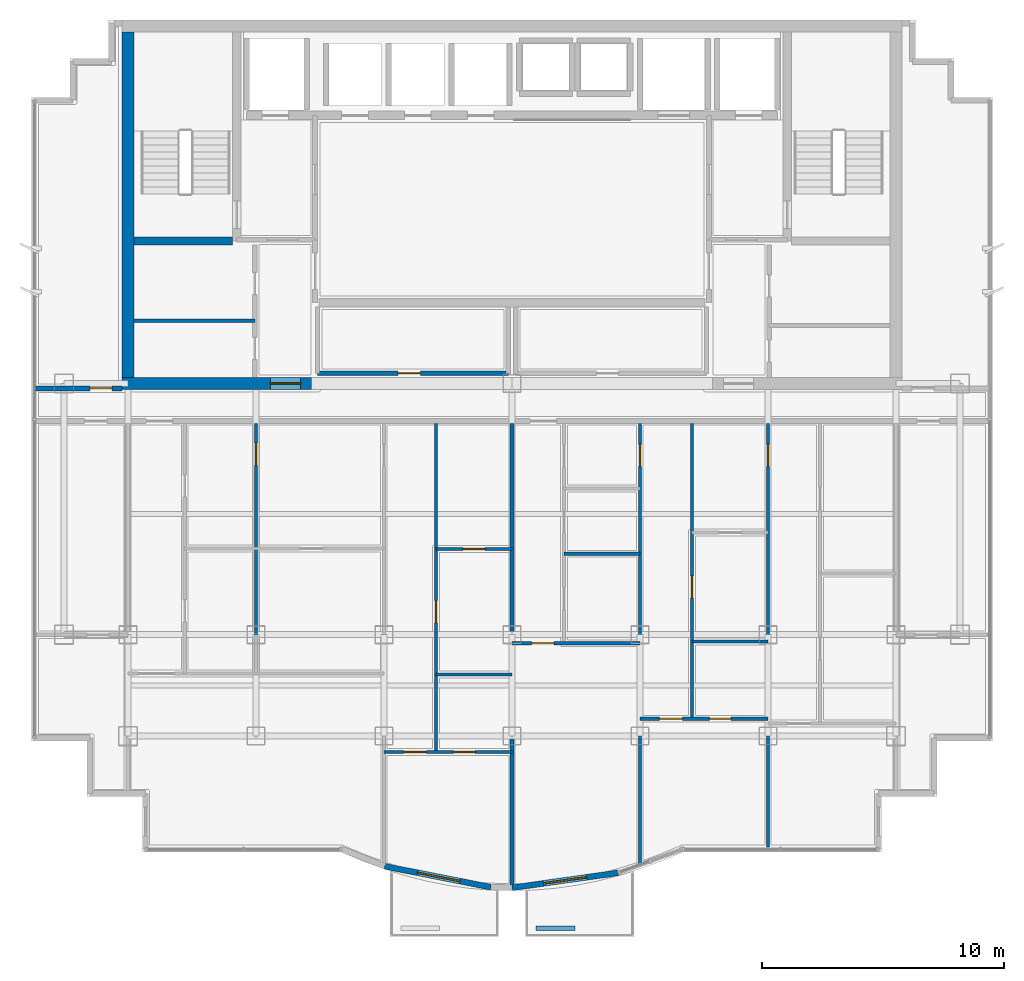
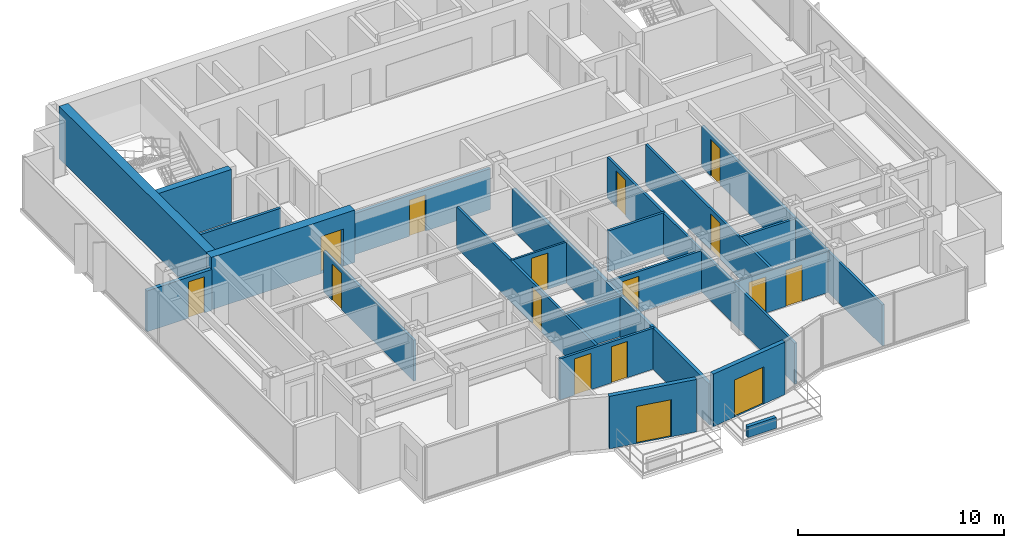
# One storey, part 7 of 12: 22 walls, 16 doors, 16 openings.
"""IFC4 building model written with IfcOpenShell, lengths in metres."""

from ifc_helpers import new_model, si_unit, direction, frame, frame_2d, origin, place, context, subcontext, project, spatial, rectangle, extrude, material, layer, layer_set, type_object, element, fill, save


model = new_model("IFC4")

# Units and contexts
model_context = context("Model", 3, precision=1e-05, world=origin(), true_north=direction((0.0, 1.0)))
body_context = subcontext(model_context, "Body", "Model", "MODEL_VIEW")
ifc_project = project(units=[si_unit("LENGTHUNIT", "METRE"), si_unit("AREAUNIT", "SQUARE_METRE"), si_unit("VOLUMEUNIT", "CUBIC_METRE"), si_unit("PLANEANGLEUNIT", "RADIAN"), si_unit("MASSUNIT", "GRAM", prefix="KILO")], contexts=[model_context])

# Site, building, storey
site_placement = place(None, origin())
site = spatial("IfcSite", under=ifc_project, at=site_placement, CompositionType="ELEMENT")
building_placement = place(site_placement, origin())
building = spatial("IfcBuilding", under=site, at=building_placement, Name="Qianlan Lanfeng Residences", CompositionType="ELEMENT")
storey_placement = place(building_placement, frame((0.0, 0.0, 216.5)))
storey = spatial("IfcBuildingStorey", under=building, at=storey_placement, Name="L59", CompositionType="ELEMENT", Elevation=216.5)

# Walls
ifc_material_1 = material(Name="Concrete C49", Category="concrete")
ifc_layer_1 = layer(ifc_material_1, 0.35009765625)
ifc_layer_set_1 = layer_set([ifc_layer_1], Name="Concrete C49")
wall_type_1 = type_object("IfcWallType", Name="CW-RC-350", PredefinedType="SHEAR", material=ifc_layer_set_1)
wall_1_placement = place(storey_placement, frame((10.85009765625, 31.10009765625, 0.0), z_axis=(0.0, 0.0, 1.0), x_axis=(1.0, 0.0, 0.0)))
element("IfcWall", 1, at=wall_1_placement, inside=storey, type_object=wall_type_1, Name="L59 Core Shear Wall ST1S", PredefinedType="SHEAR", context=body_context, shape_type="SweptSolid", body=[
    extrude(rectangle(XDim=4.074951171875, YDim=0.35009765625, at=frame_2d((2.03759765625, 0.0))), origin(), (0.0, 0.0, 1.0), 3.110107421875),
])
ifc_material_2 = material(Name="Concrete C70", Category="concrete")
ifc_layer_2 = layer(ifc_material_2, 0.5)
ifc_layer_set_2 = layer_set([ifc_layer_2], Name="Concrete C70")
wall_type_2 = type_object("IfcWallType", Name="CW-RC-500", PredefinedType="SHEAR", material=ifc_layer_set_2)
wall_2_placement = place(storey_placement, frame((10.60009765625, 25.449951171875, 0.0), z_axis=(0.0, 0.0, 1.0), x_axis=(0.0, 1.0, 0.0)))
element("IfcWall", 2, at=wall_2_placement, inside=storey, type_object=wall_type_2, Name="L59 Core Shear Wall W", PredefinedType="SHEAR", context=body_context, shape_type="SweptSolid", body=[
    extrude(rectangle(XDim=14.300048828125, YDim=0.5, at=frame_2d((7.14990234375, 0.0))), origin(), (0.0, 0.0, 1.0), 3.110107421875),
])

# Wall, opening, door
wall_3_placement = place(storey_placement, frame((10.35009765625, 25.199951171875, 0.0), z_axis=(0.0, 0.0, 1.0), x_axis=(1.0, 0.0, 0.0)))
wall_3 = element("IfcWall", 3, at=wall_3_placement, inside=storey, type_object=wall_type_2, Name="L59 Core Shear Wall SW", PredefinedType="SHEAR", context=body_context, shape_type="SweptSolid", body=[
    extrude(rectangle(XDim=8.0498046875, YDim=0.5, at=frame_2d((4.02490234375, 0.0))), origin(), (0.0, 0.0, 1.0), 3.110107421875),
])
opening_1_placement = place(wall_3_placement, frame((6.14990234375, 0.0, 0.0)))
opening_1 = element("IfcOpeningElement", 4, at=opening_1_placement, cuts=wall_3, Name="Opening L59-D01", PredefinedType="OPENING", context=body_context, shape_type="SweptSolid", body=[
    extrude(rectangle(XDim=1.25, YDim=2.199951171875, at=frame_2d((0.625, 1.10009765625))), frame((0.0, 0.260009765625, 0.0), z_axis=(0.0, -1.0, 0.0), x_axis=(1.0, 0.0, 0.0)), (0.0, 0.0, 1.0), 0.52001953125),
])
ifc_material_3 = material(Name="Painted Galvanised Steel Fire Door", Category="steel")
door_type_1 = type_object("IfcDoorType", Name="DT-FFL", OperationType="NOTDEFINED", PredefinedType="DOOR", material=ifc_material_3)
door_1_placement = place(opening_1_placement, frame((1.25, 0.0, 0.0), z_axis=(0.0, 0.0, 1.0), x_axis=(-1.0, 0.0, 0.0)))
door_1 = element("IfcDoor", 5, at=door_1_placement, inside=storey, type_object=door_type_1, Name="L59 West Core Lobby Smoke Door L59-D01 (DT-FFL)", OperationType="SINGLE_SWING_RIGHT", OverallHeight=2.199951171875, OverallWidth=1.25, PredefinedType="DOOR", context=body_context, shape_type="SweptSolid", body=[
    extrude(rectangle(XDim=1.25, YDim=2.199951171875, at=frame_2d((0.625, 1.10009765625))), frame((0.0, 0.02490234375, 0.0), z_axis=(0.0, -1.0, 0.0), x_axis=(1.0, 0.0, 0.0)), (0.0, 0.0, 1.0), 0.050048828125),
])
fill(opening_1, door_1)

ifc_material_4 = material(Name="Concrete C42", Category="concrete")
ifc_layer_3 = layer(ifc_material_4, 0.239990234375)
ifc_layer_set_3 = layer_set([ifc_layer_3], Name="Concrete C42")
wall_type_3 = type_object("IfcWallType", Name="EW-240", PredefinedType="SOLIDWALL", material=ifc_layer_set_3)
wall_4_placement = place(storey_placement, frame((21.22900390625, 5.214111328125, 0.0), z_axis=(0.0, 0.0, 1.0), x_axis=(0.980985349685, -0.194081796425, 0.0)))
wall_4 = element("IfcWall", 6, at=wall_4_placement, inside=storey, type_object=wall_type_3, Name="L59 Terrace/Balcony Access Exterior Wall 6", PredefinedType="SOLIDWALL", context=body_context, shape_type="SweptSolid", body=[
    extrude(rectangle(XDim=4.478271484375, YDim=0.239990234375, at=frame_2d((2.2392578125, 0.0))), origin(), (0.0, 0.0, 1.0), 3.110107421875),
])
opening_2_placement = place(wall_4_placement, frame((1.381103515625, 0.0, 0.0)))
opening_2 = element("IfcOpeningElement", 7, at=opening_2_placement, cuts=wall_4, Name="Opening L59-D-SB-W", PredefinedType="OPENING", context=body_context, shape_type="SweptSolid", body=[
    extrude(rectangle(XDim=1.800048828125, YDim=2.199951171875, at=frame_2d((0.89990234375, 1.10009765625))), frame((0.0, 0.1298828125, 0.0), z_axis=(0.0, -1.0, 0.0), x_axis=(1.0, 0.0, 0.0)), (0.0, 0.0, 1.0), 0.260009765625),
])
ifc_material_5 = material(Name="Anodised Bronze Aluminium Framed Glass", Category="aluminium")
door_type_2 = type_object("IfcDoorType", Name="DT-BAL1", OperationType="NOTDEFINED", PredefinedType="DOOR", material=ifc_material_5)
door_2_placement = place(opening_2_placement, frame((1.800048828125, 0.0, 0.0), z_axis=(0.0, 0.0, 1.0), x_axis=(-1.0, 0.0, 0.0)))
door_2 = element("IfcDoor", 8, at=door_2_placement, inside=storey, type_object=door_type_2, Name="L59 Exterior Access Door SB-W", OperationType="DOUBLE_DOOR_SLIDING", OverallHeight=2.199951171875, OverallWidth=1.800048828125, PredefinedType="DOOR", context=body_context, shape_type="SweptSolid", body=[
    extrude(rectangle(XDim=1.800048828125, YDim=2.199951171875, at=frame_2d((0.89990234375, 1.10009765625))), frame((0.0, 0.02490234375, 0.0), z_axis=(0.0, -1.0, 0.0), x_axis=(1.0, 0.0, 0.0)), (0.0, 0.0, 1.0), 0.050048828125),
])
fill(opening_2, door_2)

wall_5_placement = place(storey_placement, frame((26.5, 4.320068359375, 0.0), z_axis=(0.0, 0.0, 1.0), x_axis=(0.990156470874, 0.139964864115, 0.0)))
wall_5 = element("IfcWall", 9, at=wall_5_placement, inside=storey, type_object=wall_type_3, Name="L59 Terrace/Balcony Access Exterior Wall 8", PredefinedType="SOLIDWALL", context=body_context, shape_type="SweptSolid", body=[
    extrude(rectangle(XDim=4.435791015625, YDim=0.239990234375, at=frame_2d((2.2177734375, 0.0))), origin(), (0.0, 0.0, 1.0), 3.110107421875),
])
opening_3_placement = place(wall_5_placement, frame((1.318115234375, 0.0, 0.0)))
opening_3 = element("IfcOpeningElement", 10, at=opening_3_placement, cuts=wall_5, Name="Opening L59-D-SB-E", PredefinedType="OPENING", context=body_context, shape_type="SweptSolid", body=[
    extrude(rectangle(XDim=1.800048828125, YDim=2.199951171875, at=frame_2d((0.89990234375, 1.10009765625))), frame((0.0, 0.1298828125, 0.0), z_axis=(0.0, -1.0, 0.0), x_axis=(1.0, 0.0, 0.0)), (0.0, 0.0, 1.0), 0.260009765625),
])
door_3_placement = place(opening_3_placement, frame((1.800048828125, 0.0, 0.0), z_axis=(0.0, 0.0, 1.0), x_axis=(-1.0, 0.0, 0.0)))
door_3 = element("IfcDoor", 11, at=door_3_placement, inside=storey, type_object=door_type_2, Name="L59 Exterior Access Door SB-E", OperationType="DOUBLE_DOOR_SLIDING", OverallHeight=2.199951171875, OverallWidth=1.800048828125, PredefinedType="DOOR", context=body_context, shape_type="SweptSolid", body=[
    extrude(rectangle(XDim=1.800048828125, YDim=2.199951171875, at=frame_2d((0.89990234375, 1.10009765625))), frame((0.0, 0.02490234375, 0.0), z_axis=(0.0, -1.0, 0.0), x_axis=(1.0, 0.0, 0.0)), (0.0, 0.0, 1.0), 0.050048828125),
])
fill(opening_3, door_3)

# Wall
ifc_layer_4 = layer(ifc_material_4, 0.199951171875)
ifc_layer_set_4 = layer_set([ifc_layer_4], Name="Concrete C42")
wall_type_4 = type_object("IfcWallType", Name="PL-TREE-200", PredefinedType="PARAPET", material=ifc_layer_set_4)
wall_6_placement = place(storey_placement, frame((27.5, 2.64990234375, 0.0), z_axis=(0.0, 0.0, 1.0), x_axis=(1.0, 0.0, 0.0)))
element("IfcWall", 12, at=wall_6_placement, inside=storey, type_object=wall_type_4, Name="L59 Balcony Tree Planter Curb SB-E", PredefinedType="PARAPET", context=body_context, shape_type="SweptSolid", body=[
    extrude(rectangle(XDim=1.60009765625, YDim=0.199951171875, at=frame_2d((0.800048828125, 0.0))), origin(), (0.0, 0.0, 1.0), 0.64990234375),
])

# Wall, opening, door
ifc_material_6 = material(Name="Demountable Acoustic Framing Partition 110 mm")
ifc_layer_5 = layer(ifc_material_6, 0.110107421875)
ifc_layer_set_5 = layer_set([ifc_layer_5], Name="Demountable Acoustic Framing Partition 110 mm")
wall_type_5 = type_object("IfcWallType", Name="PW-110", PredefinedType="MOVABLE", material=ifc_layer_set_5)
wall_7_placement = place(storey_placement, frame((23.35009765625, 18.34912109375, 0.0), z_axis=(0.0, 0.0, 1.0), x_axis=(1.0, 0.0, 0.0)))
wall_7 = element("IfcWall", 13, at=wall_7_placement, inside=storey, type_object=wall_type_5, Name="L59 U01 Wardrobe Split", PredefinedType="MOVABLE", context=body_context, shape_type="SweptSolid", body=[
    extrude(rectangle(XDim=3.14990234375, YDim=0.110107421875, at=frame_2d((1.574951171875, 0.0))), origin(), (0.0, 0.0, 1.0), 2.429931640625),
])
opening_4_placement = place(wall_7_placement, frame((1.114990234375, 0.0, 0.0)))
opening_4 = element("IfcOpeningElement", 14, at=opening_4_placement, cuts=wall_7, Name="Opening L59-D27", PredefinedType="OPENING", context=body_context, shape_type="SweptSolid", body=[
    extrude(rectangle(XDim=0.919921875, YDim=2.14990234375, at=frame_2d((0.4599609375, 1.074951171875))), frame((0.0, 0.06494140625, 0.0), z_axis=(0.0, -1.0, 0.0), x_axis=(1.0, 0.0, 0.0)), (0.0, 0.0, 1.0), 0.130126953125),
])
ifc_material_7 = material(Name="Glazed Timber Kitchen/Study Door", Category="wood")
door_type_3 = type_object("IfcDoorType", Name="DT-INT", OperationType="NOTDEFINED", PredefinedType="DOOR", material=ifc_material_7)
door_4_placement = place(opening_4_placement, origin())
door_4 = element("IfcDoor", 15, at=door_4_placement, inside=storey, type_object=door_type_3, Name="L59 U01 Dressing Inner Door L59-D27 (DT-INT)", OperationType="SINGLE_SWING_LEFT", OverallHeight=2.14990234375, OverallWidth=0.919921875, PredefinedType="DOOR", context=body_context, shape_type="SweptSolid", body=[
    extrude(rectangle(XDim=0.919921875, YDim=2.14990234375, at=frame_2d((0.4599609375, 1.074951171875))), frame((0.0, 0.02490234375, 0.0), z_axis=(0.0, -1.0, 0.0), x_axis=(1.0, 0.0, 0.0)), (0.0, 0.0, 1.0), 0.050048828125),
])
fill(opening_4, door_4)

ifc_material_8 = material(Name="Moisture-Resistant Gypsum Partition 135 mm")
ifc_layer_6 = layer(ifc_material_8, 0.135009765625)
ifc_layer_set_6 = layer_set([ifc_layer_6], Name="Moisture-Resistant Gypsum Partition 135 mm")
wall_type_6 = type_object("IfcWallType", Name="PW-135", PredefinedType="PARTITIONING", material=ifc_layer_set_6)
wall_8_placement = place(storey_placement, frame((15.89990234375, 14.800048828125, 0.0), z_axis=(0.0, 0.0, 1.0), x_axis=(0.0, 1.0, 0.0)))
wall_8 = element("IfcWall", 16, at=wall_8_placement, inside=storey, type_object=wall_type_6, Name="L59 U01 North Spine Wall", PredefinedType="PARTITIONING", context=body_context, shape_type="SweptSolid", body=[
    extrude(rectangle(XDim=8.75, YDim=0.135009765625, at=frame_2d((4.375, 0.0))), origin(), (0.0, 0.0, 1.0), 2.429931640625),
])
opening_5_placement = place(wall_8_placement, frame((7.014892578125, 0.0, 0.0)))
opening_5 = element("IfcOpeningElement", 17, at=opening_5_placement, cuts=wall_8, Name="Opening L59-D18", PredefinedType="OPENING", context=body_context, shape_type="SweptSolid", body=[
    extrude(rectangle(XDim=0.919921875, YDim=2.14990234375, at=frame_2d((0.4599609375, 1.074951171875))), frame((0.0, 0.07763671875, 0.0), z_axis=(0.0, -1.0, 0.0), x_axis=(1.0, 0.0, 0.0)), (0.0, 0.0, 1.0), 0.155029296875),
])
door_5_placement = place(opening_5_placement, origin())
door_5 = element("IfcDoor", 18, at=door_5_placement, inside=storey, type_object=door_type_3, Name="L59 U01 North Suite Door L59-D18 (DT-INT)", OperationType="SINGLE_SWING_RIGHT", OverallHeight=2.14990234375, OverallWidth=0.919921875, PredefinedType="DOOR", context=body_context, shape_type="SweptSolid", body=[
    extrude(rectangle(XDim=0.919921875, YDim=2.14990234375, at=frame_2d((0.4599609375, 1.074951171875))), frame((0.0, 0.02490234375, 0.0), z_axis=(0.0, -1.0, 0.0), x_axis=(1.0, 0.0, 0.0)), (0.0, 0.0, 1.0), 0.050048828125),
])
fill(opening_5, door_5)

# Wall, openings, doors
wall_9_placement = place(storey_placement, frame((21.199951171875, 9.947998046875, 0.0), z_axis=(0.0, 0.0, 1.0), x_axis=(1.0, 0.0, 0.0)))
wall_9 = element("IfcWall", 19, at=wall_9_placement, inside=storey, type_object=wall_type_6, Name="L59 U01 Master Bedroom North Wall", PredefinedType="PARTITIONING", context=body_context, shape_type="SweptSolid", body=[
    extrude(rectangle(XDim=5.300048828125, YDim=0.135009765625, at=frame_2d((2.64990234375, 0.0))), origin(), (0.0, 0.0, 1.0), 2.429931640625),
])
opening_6_placement = place(wall_9_placement, frame((0.800048828125, 0.0, 0.0)))
opening_6 = element("IfcOpeningElement", 20, at=opening_6_placement, cuts=wall_9, Name="Opening L59-D24", PredefinedType="OPENING", context=body_context, shape_type="SweptSolid", body=[
    extrude(rectangle(XDim=0.949951171875, YDim=2.14990234375, at=frame_2d((0.47509765625, 1.074951171875))), frame((0.0, 0.07763671875, 0.0), z_axis=(0.0, -1.0, 0.0), x_axis=(1.0, 0.0, 0.0)), (0.0, 0.0, 1.0), 0.155029296875),
])
opening_7_placement = place(wall_9_placement, frame((2.875, 0.0, 0.0)))
opening_7 = element("IfcOpeningElement", 21, at=opening_7_placement, cuts=wall_9, Name="Opening L59-D25", PredefinedType="OPENING", context=body_context, shape_type="SweptSolid", body=[
    extrude(rectangle(XDim=0.89990234375, YDim=2.14990234375, at=frame_2d((0.449951171875, 1.074951171875))), frame((0.0, 0.07763671875, 0.0), z_axis=(0.0, -1.0, 0.0), x_axis=(1.0, 0.0, 0.0)), (0.0, 0.0, 1.0), 0.155029296875),
])
ifc_material_9 = material(Name="Painted Solid-Core Timber Leaf", Category="wood")
door_type_4 = type_object("IfcDoorType", Name="DT-BED", OperationType="NOTDEFINED", PredefinedType="DOOR", material=ifc_material_9)
door_6_placement = place(opening_6_placement, frame((0.949951171875, 0.0, 0.0), z_axis=(0.0, 0.0, 1.0), x_axis=(-1.0, 0.0, 0.0)))
door_6 = element("IfcDoor", 22, at=door_6_placement, inside=storey, type_object=door_type_4, Name="L59 U01 Master Bedroom Door L59-D24 (DT-BED)", OperationType="SINGLE_SWING_LEFT", OverallHeight=2.14990234375, OverallWidth=0.949951171875, PredefinedType="DOOR", context=body_context, shape_type="SweptSolid", body=[
    extrude(rectangle(XDim=0.949951171875, YDim=2.14990234375, at=frame_2d((0.47509765625, 1.074951171875))), frame((0.0, 0.02490234375, 0.0), z_axis=(0.0, -1.0, 0.0), x_axis=(1.0, 0.0, 0.0)), (0.0, 0.0, 1.0), 0.050048828125),
])
fill(opening_6, door_6)
ifc_material_10 = material(Name="Moisture-Resistant Timber Leaf", Category="wood")
door_type_5 = type_object("IfcDoorType", Name="DT-WC", OperationType="NOTDEFINED", PredefinedType="DOOR", material=ifc_material_10)
door_7_placement = place(opening_7_placement, frame((0.89990234375, 0.0, 0.0), z_axis=(0.0, 0.0, 1.0), x_axis=(-1.0, 0.0, 0.0)))
door_7 = element("IfcDoor", 23, at=door_7_placement, inside=storey, type_object=door_type_5, Name="L59 U01 En-Suite Bathroom Door L59-D25 (DT-WC)", OperationType="SINGLE_SWING_RIGHT", OverallHeight=2.14990234375, OverallWidth=0.89990234375, PredefinedType="DOOR", context=body_context, shape_type="SweptSolid", body=[
    extrude(rectangle(XDim=0.89990234375, YDim=2.14990234375, at=frame_2d((0.449951171875, 1.074951171875))), frame((0.0, 0.02490234375, 0.0), z_axis=(0.0, -1.0, 0.0), x_axis=(1.0, 0.0, 0.0)), (0.0, 0.0, 1.0), 0.050048828125),
])
fill(opening_7, door_7)

# Wall, opening, door
wall_10_placement = place(storey_placement, frame((23.35009765625, 9.947998046875, 0.0), z_axis=(0.0, 0.0, 1.0), x_axis=(0.0, 1.0, 0.0)))
wall_10 = element("IfcWall", 24, at=wall_10_placement, inside=storey, type_object=wall_type_6, Name="L59 U01 Master Passage Wall", PredefinedType="PARTITIONING", context=body_context, shape_type="SweptSolid", body=[
    extrude(rectangle(XDim=13.60205078125, YDim=0.135009765625, at=frame_2d((6.801025390625, 0.0))), origin(), (0.0, 0.0, 1.0), 2.429931640625),
])
opening_8_placement = place(wall_10_placement, frame((5.340087890625, 0.0, 0.0)))
opening_8 = element("IfcOpeningElement", 25, at=opening_8_placement, cuts=wall_10, Name="Opening L59-D26", PredefinedType="OPENING", context=body_context, shape_type="SweptSolid", body=[
    extrude(rectangle(XDim=0.919921875, YDim=2.14990234375, at=frame_2d((0.4599609375, 1.074951171875))), frame((0.0, 0.07763671875, 0.0), z_axis=(0.0, -1.0, 0.0), x_axis=(1.0, 0.0, 0.0)), (0.0, 0.0, 1.0), 0.155029296875),
])
door_8_placement = place(opening_8_placement, origin())
door_8 = element("IfcDoor", 26, at=door_8_placement, inside=storey, type_object=door_type_3, Name="L59 U01 Wardrobe Door L59-D26 (DT-INT)", OperationType="SINGLE_SWING_RIGHT", OverallHeight=2.14990234375, OverallWidth=0.919921875, PredefinedType="DOOR", context=body_context, shape_type="SweptSolid", body=[
    extrude(rectangle(XDim=0.919921875, YDim=2.14990234375, at=frame_2d((0.4599609375, 1.074951171875))), frame((0.0, 0.02490234375, 0.0), z_axis=(0.0, -1.0, 0.0), x_axis=(1.0, 0.0, 0.0)), (0.0, 0.0, 1.0), 0.050048828125),
])
fill(opening_8, door_8)

# Wall
wall_11_placement = place(storey_placement, frame((23.35009765625, 13.14794921875, 0.0), z_axis=(0.0, 0.0, 1.0), x_axis=(1.0, 0.0, 0.0)))
element("IfcWall", 27, at=wall_11_placement, inside=storey, type_object=wall_type_6, Name="L59 U01 En-Suite North Wall", PredefinedType="PARTITIONING", context=body_context, shape_type="SweptSolid", body=[
    extrude(rectangle(XDim=3.14990234375, YDim=0.135009765625, at=frame_2d((1.574951171875, 0.0))), origin(), (0.0, 0.0, 1.0), 2.429931640625),
])

# Wall, opening, door
wall_12_placement = place(storey_placement, frame((31.800048828125, 5.3310546875, 0.0), z_axis=(0.0, 0.0, 1.0), x_axis=(0.0, 1.0, 0.0)))
wall_12 = element("IfcWall", 28, at=wall_12_placement, inside=storey, type_object=wall_type_6, Name="L59 U02 Bay Spine Wall 1", PredefinedType="PARTITIONING", context=body_context, shape_type="SweptSolid", body=[
    extrude(rectangle(XDim=18.218994140625, YDim=0.135009765625, at=frame_2d((9.109375, 0.0))), origin(), (0.0, 0.0, 1.0), 2.429931640625),
])
opening_9_placement = place(wall_12_placement, frame((16.43408203125, 0.0, 0.0)))
opening_9 = element("IfcOpeningElement", 29, at=opening_9_placement, cuts=wall_12, Name="Opening L59-D29", PredefinedType="OPENING", context=body_context, shape_type="SweptSolid", body=[
    extrude(rectangle(XDim=0.919921875, YDim=2.14990234375, at=frame_2d((0.4599609375, 1.074951171875))), frame((0.0, 0.07763671875, 0.0), z_axis=(0.0, -1.0, 0.0), x_axis=(1.0, 0.0, 0.0)), (0.0, 0.0, 1.0), 0.155029296875),
])
door_9_placement = place(opening_9_placement, origin())
door_9 = element("IfcDoor", 30, at=door_9_placement, inside=storey, type_object=door_type_3, Name="L59 U02 Internal Hall Door L59-D29 (DT-INT)", OperationType="SINGLE_SWING_LEFT", OverallHeight=2.14990234375, OverallWidth=0.919921875, PredefinedType="DOOR", context=body_context, shape_type="SweptSolid", body=[
    extrude(rectangle(XDim=0.919921875, YDim=2.14990234375, at=frame_2d((0.4599609375, 1.074951171875))), frame((0.0, 0.02490234375, 0.0), z_axis=(0.0, -1.0, 0.0), x_axis=(1.0, 0.0, 0.0)), (0.0, 0.0, 1.0), 0.050048828125),
])
fill(opening_9, door_9)

wall_13_placement = place(storey_placement, frame((37.10009765625, 6.02001953125, 0.0), z_axis=(0.0, 0.0, 1.0), x_axis=(0.0, 1.0, 0.0)))
wall_13 = element("IfcWall", 31, at=wall_13_placement, inside=storey, type_object=wall_type_6, Name="L59 U02 Bay Spine Wall 2", PredefinedType="PARTITIONING", context=body_context, shape_type="SweptSolid", body=[
    extrude(rectangle(XDim=17.530029296875, YDim=0.135009765625, at=frame_2d((8.76513671875, 0.0))), origin(), (0.0, 0.0, 1.0), 2.429931640625),
])
opening_10_placement = place(wall_13_placement, frame((15.7451171875, 0.0, 0.0)))
opening_10 = element("IfcOpeningElement", 32, at=opening_10_placement, cuts=wall_13, Name="Opening L59-D30", PredefinedType="OPENING", context=body_context, shape_type="SweptSolid", body=[
    extrude(rectangle(XDim=0.919921875, YDim=2.14990234375, at=frame_2d((0.4599609375, 1.074951171875))), frame((0.0, 0.07763671875, 0.0), z_axis=(0.0, -1.0, 0.0), x_axis=(1.0, 0.0, 0.0)), (0.0, 0.0, 1.0), 0.155029296875),
])
door_10_placement = place(opening_10_placement, origin())
door_10 = element("IfcDoor", 33, at=door_10_placement, inside=storey, type_object=door_type_3, Name="L59 U02 Internal Hall Door L59-D30 (DT-INT)", OperationType="SINGLE_SWING_RIGHT", OverallHeight=2.14990234375, OverallWidth=0.919921875, PredefinedType="DOOR", context=body_context, shape_type="SweptSolid", body=[
    extrude(rectangle(XDim=0.919921875, YDim=2.14990234375, at=frame_2d((0.4599609375, 1.074951171875))), frame((0.0, 0.02490234375, 0.0), z_axis=(0.0, -1.0, 0.0), x_axis=(1.0, 0.0, 0.0)), (0.0, 0.0, 1.0), 0.050048828125),
])
fill(opening_10, door_10)

wall_14_placement = place(storey_placement, frame((26.5, 14.447998046875, 0.0), z_axis=(0.0, 0.0, 1.0), x_axis=(1.0, 0.0, 0.0)))
wall_14 = element("IfcWall", 34, at=wall_14_placement, inside=storey, type_object=wall_type_6, Name="L59 U02 Living Divider", PredefinedType="PARTITIONING", context=body_context, shape_type="SweptSolid", body=[
    extrude(rectangle(XDim=5.300048828125, YDim=0.135009765625, at=frame_2d((2.64990234375, 0.0))), origin(), (0.0, 0.0, 1.0), 2.429931640625),
])
opening_11_placement = place(wall_14_placement, frame((0.81494140625, 0.0, 0.0)))
opening_11 = element("IfcOpeningElement", 35, at=opening_11_placement, cuts=wall_14, Name="Opening L59-D31", PredefinedType="OPENING", context=body_context, shape_type="SweptSolid", body=[
    extrude(rectangle(XDim=0.919921875, YDim=2.14990234375, at=frame_2d((0.4599609375, 1.074951171875))), frame((0.0, 0.07763671875, 0.0), z_axis=(0.0, -1.0, 0.0), x_axis=(1.0, 0.0, 0.0)), (0.0, 0.0, 1.0), 0.155029296875),
])
door_11_placement = place(opening_11_placement, frame((0.919921875, 0.0, 0.0), z_axis=(0.0, 0.0, 1.0), x_axis=(-1.0, 0.0, 0.0)))
door_11 = element("IfcDoor", 36, at=door_11_placement, inside=storey, type_object=door_type_3, Name="L59 U02 Living Passage Door L59-D31 (DT-INT)", OperationType="SINGLE_SWING_LEFT", OverallHeight=2.14990234375, OverallWidth=0.919921875, PredefinedType="DOOR", context=body_context, shape_type="SweptSolid", body=[
    extrude(rectangle(XDim=0.919921875, YDim=2.14990234375, at=frame_2d((0.4599609375, 1.074951171875))), frame((0.0, 0.02490234375, 0.0), z_axis=(0.0, -1.0, 0.0), x_axis=(1.0, 0.0, 0.0)), (0.0, 0.0, 1.0), 0.050048828125),
])
fill(opening_11, door_11)

# Wall
wall_15_placement = place(storey_placement, frame((28.64990234375, 18.14990234375, 0.0), z_axis=(0.0, 0.0, 1.0), x_axis=(1.0, 0.0, 0.0)))
element("IfcWall", 37, at=wall_15_placement, inside=storey, type_object=wall_type_6, Name="L59 U02 Kitchen South Wall", PredefinedType="PARTITIONING", context=body_context, shape_type="SweptSolid", body=[
    extrude(rectangle(XDim=3.150146484375, YDim=0.135009765625, at=frame_2d((1.5751953125, 0.0))), origin(), (0.0, 0.0, 1.0), 2.429931640625),
])

# Wall, openings, doors
wall_16_placement = place(storey_placement, frame((31.800048828125, 11.320068359375, 0.0), z_axis=(0.0, 0.0, 1.0), x_axis=(1.0, 0.0, 0.0)))
wall_16 = element("IfcWall", 38, at=wall_16_placement, inside=storey, type_object=wall_type_6, Name="L59 U02 Master Bedroom North Wall", PredefinedType="PARTITIONING", context=body_context, shape_type="SweptSolid", body=[
    extrude(rectangle(XDim=5.300048828125, YDim=0.135009765625, at=frame_2d((2.64990234375, 0.0))), origin(), (0.0, 0.0, 1.0), 2.429931640625),
])
opening_12_placement = place(wall_16_placement, frame((0.800048828125, 0.0, 0.0)))
opening_12 = element("IfcOpeningElement", 39, at=opening_12_placement, cuts=wall_16, Name="Opening L59-D35", PredefinedType="OPENING", context=body_context, shape_type="SweptSolid", body=[
    extrude(rectangle(XDim=0.949951171875, YDim=2.14990234375, at=frame_2d((0.47509765625, 1.074951171875))), frame((0.0, 0.07763671875, 0.0), z_axis=(0.0, -1.0, 0.0), x_axis=(1.0, 0.0, 0.0)), (0.0, 0.0, 1.0), 0.155029296875),
])
opening_13_placement = place(wall_16_placement, frame((2.875, 0.0, 0.0)))
opening_13 = element("IfcOpeningElement", 40, at=opening_13_placement, cuts=wall_16, Name="Opening L59-D36", PredefinedType="OPENING", context=body_context, shape_type="SweptSolid", body=[
    extrude(rectangle(XDim=0.89990234375, YDim=2.14990234375, at=frame_2d((0.449951171875, 1.074951171875))), frame((0.0, 0.07763671875, 0.0), z_axis=(0.0, -1.0, 0.0), x_axis=(1.0, 0.0, 0.0)), (0.0, 0.0, 1.0), 0.155029296875),
])
door_12_placement = place(opening_12_placement, origin())
door_12 = element("IfcDoor", 41, at=door_12_placement, inside=storey, type_object=door_type_4, Name="L59 U02 Master Bedroom Door L59-D35 (DT-BED)", OperationType="SINGLE_SWING_LEFT", OverallHeight=2.14990234375, OverallWidth=0.949951171875, PredefinedType="DOOR", context=body_context, shape_type="SweptSolid", body=[
    extrude(rectangle(XDim=0.949951171875, YDim=2.14990234375, at=frame_2d((0.47509765625, 1.074951171875))), frame((0.0, 0.02490234375, 0.0), z_axis=(0.0, -1.0, 0.0), x_axis=(1.0, 0.0, 0.0)), (0.0, 0.0, 1.0), 0.050048828125),
])
fill(opening_12, door_12)
door_13_placement = place(opening_13_placement, origin())
door_13 = element("IfcDoor", 42, at=door_13_placement, inside=storey, type_object=door_type_5, Name="L59 U02 En-Suite Bathroom Door L59-D36 (DT-WC)", OperationType="SINGLE_SWING_RIGHT", OverallHeight=2.14990234375, OverallWidth=0.89990234375, PredefinedType="DOOR", context=body_context, shape_type="SweptSolid", body=[
    extrude(rectangle(XDim=0.89990234375, YDim=2.14990234375, at=frame_2d((0.449951171875, 1.074951171875))), frame((0.0, 0.02490234375, 0.0), z_axis=(0.0, -1.0, 0.0), x_axis=(1.0, 0.0, 0.0)), (0.0, 0.0, 1.0), 0.050048828125),
])
fill(opening_13, door_13)

# Wall, opening, door
wall_17_placement = place(storey_placement, frame((33.949951171875, 11.320068359375, 0.0), z_axis=(0.0, 0.0, 1.0), x_axis=(0.0, 1.0, 0.0)))
wall_17 = element("IfcWall", 43, at=wall_17_placement, inside=storey, type_object=wall_type_6, Name="L59 U02 Master Passage Wall", PredefinedType="PARTITIONING", context=body_context, shape_type="SweptSolid", body=[
    extrude(rectangle(XDim=12.22998046875, YDim=0.135009765625, at=frame_2d((6.114990234375, 0.0))), origin(), (0.0, 0.0, 1.0), 2.429931640625),
])
opening_14_placement = place(wall_17_placement, frame((4.998046875, 0.0, 0.0)))
opening_14 = element("IfcOpeningElement", 44, at=opening_14_placement, cuts=wall_17, Name="Opening L59-D37", PredefinedType="OPENING", context=body_context, shape_type="SweptSolid", body=[
    extrude(rectangle(XDim=0.919921875, YDim=2.14990234375, at=frame_2d((0.4599609375, 1.074951171875))), frame((0.0, 0.07763671875, 0.0), z_axis=(0.0, -1.0, 0.0), x_axis=(1.0, 0.0, 0.0)), (0.0, 0.0, 1.0), 0.155029296875),
])
door_14_placement = place(opening_14_placement, origin())
door_14 = element("IfcDoor", 45, at=door_14_placement, inside=storey, type_object=door_type_3, Name="L59 U02 Wardrobe Door L59-D37 (DT-INT)", OperationType="SINGLE_SWING_LEFT", OverallHeight=2.14990234375, OverallWidth=0.919921875, PredefinedType="DOOR", context=body_context, shape_type="SweptSolid", body=[
    extrude(rectangle(XDim=0.919921875, YDim=2.14990234375, at=frame_2d((0.4599609375, 1.074951171875))), frame((0.0, 0.02490234375, 0.0), z_axis=(0.0, -1.0, 0.0), x_axis=(1.0, 0.0, 0.0)), (0.0, 0.0, 1.0), 0.050048828125),
])
fill(opening_14, door_14)

# Walls
wall_18_placement = place(storey_placement, frame((33.949951171875, 14.52001953125, 0.0), z_axis=(0.0, 0.0, 1.0), x_axis=(1.0, 0.0, 0.0)))
element("IfcWall", 46, at=wall_18_placement, inside=storey, type_object=wall_type_6, Name="L59 U02 En-Suite North Wall", PredefinedType="PARTITIONING", context=body_context, shape_type="SweptSolid", body=[
    extrude(rectangle(XDim=3.150146484375, YDim=0.135009765625, at=frame_2d((1.5751953125, 0.0))), origin(), (0.0, 0.0, 1.0), 2.429931640625),
])
ifc_material_11 = material(Name="Acoustic Drywall Partition 150 mm")
ifc_layer_7 = layer(ifc_material_11, 0.14990234375)
ifc_layer_set_7 = layer_set([ifc_layer_7], Name="Acoustic Drywall Partition 150 mm")
wall_type_7 = type_object("IfcWallType", Name="PW-150", PredefinedType="PARTITIONING", material=ifc_layer_set_7)
wall_19_placement = place(storey_placement, frame((10.85009765625, 27.800048828125, 0.0), z_axis=(0.0, 0.0, 1.0), x_axis=(1.0, 0.0, 0.0)))
element("IfcWall", 47, at=wall_19_placement, inside=storey, type_object=wall_type_7, Name="L59 Core West Split", PredefinedType="PARTITIONING", context=body_context, shape_type="SweptSolid", body=[
    extrude(rectangle(XDim=5.0, YDim=0.14990234375, at=frame_2d((2.5, 0.0))), origin(), (0.0, 0.0, 1.0), 2.429931640625),
])

# Wall, opening, door
ifc_material_12 = material(Name="Double-Layer Acoustic Gypsum Stud Wall 180 mm")
ifc_layer_8 = layer(ifc_material_12, 0.179931640625)
ifc_layer_set_8 = layer_set([ifc_layer_8], Name="Double-Layer Acoustic Gypsum Stud Wall 180 mm")
wall_type_8 = type_object("IfcWallType", Name="PW-180", PredefinedType="PARTITIONING", material=ifc_layer_set_8)
wall_20_placement = place(storey_placement, frame((18.449951171875, 25.6201171875, 0.0), z_axis=(0.0, 0.0, 1.0), x_axis=(1.0, 0.0, 0.0)))
wall_20 = element("IfcWall", 48, at=wall_20_placement, inside=storey, type_object=wall_type_8, Name="L59 Reclaimed Low-Bank Room South Wall", PredefinedType="PARTITIONING", context=body_context, shape_type="SweptSolid", body=[
    extrude(rectangle(XDim=7.900146484375, YDim=0.179931640625, at=frame_2d((3.9501953125, 0.0))), origin(), (0.0, 0.0, 1.0), 2.429931640625),
])
opening_15_placement = place(wall_20_placement, frame((3.340087890625, 0.0, 0.0)))
opening_15 = element("IfcOpeningElement", 49, at=opening_15_placement, cuts=wall_20, Name="Opening L59-D15", PredefinedType="OPENING", context=body_context, shape_type="SweptSolid", body=[
    extrude(rectangle(XDim=0.919921875, YDim=2.14990234375, at=frame_2d((0.4599609375, 1.074951171875))), frame((0.0, 0.10009765625, 0.0), z_axis=(0.0, -1.0, 0.0), x_axis=(1.0, 0.0, 0.0)), (0.0, 0.0, 1.0), 0.199951171875),
])
door_15_placement = place(opening_15_placement, origin())
door_15 = element("IfcDoor", 50, at=door_15_placement, inside=storey, type_object=door_type_3, Name="L59 Reclaimed Core Salon Door L59-D15 (DT-INT)", OperationType="SINGLE_SWING_LEFT", OverallHeight=2.14990234375, OverallWidth=0.919921875, PredefinedType="DOOR", context=body_context, shape_type="SweptSolid", body=[
    extrude(rectangle(XDim=0.919921875, YDim=2.14990234375, at=frame_2d((0.4599609375, 1.074951171875))), frame((0.0, 0.02490234375, 0.0), z_axis=(0.0, -1.0, 0.0), x_axis=(1.0, 0.0, 0.0)), (0.0, 0.0, 1.0), 0.050048828125),
])
fill(opening_15, door_15)

# Wall
wall_21_placement = place(storey_placement, frame((26.5, 4.419921875, 0.0), z_axis=(0.0, 0.0, 1.0), x_axis=(0.0, 1.0, 0.0)))
element("IfcWall", 51, at=wall_21_placement, inside=storey, type_object=wall_type_8, Name="L59 Inter-Tenancy Party Wall 2", PredefinedType="PARTITIONING", context=body_context, shape_type="SweptSolid", body=[
    extrude(rectangle(XDim=19.130126953125, YDim=0.179931640625, at=frame_2d((9.56494140625, 0.0))), origin(), (0.0, 0.0, 1.0), 2.429931640625),
])

# Wall, opening, door
ifc_material_13 = material(Name="Autoclaved Aerated Concrete Blockwork 200 mm", Category="masonry")
ifc_layer_9 = layer(ifc_material_13, 0.199951171875)
ifc_layer_set_9 = layer_set([ifc_layer_9], Name="Autoclaved Aerated Concrete Blockwork 200 mm")
wall_type_9 = type_object("IfcWallType", Name="PW-200", PredefinedType="PARTITIONING", material=ifc_layer_set_9)
wall_22_placement = place(storey_placement, frame((6.719970703125, 25.0, 0.0), z_axis=(0.0, 0.0, 1.0), x_axis=(1.0, 0.0, 0.0)))
wall_22 = element("IfcWall", 52, at=wall_22_placement, inside=storey, type_object=wall_type_9, Name="L59 Corridor NW Wall", PredefinedType="PARTITIONING", context=body_context, shape_type="SweptSolid", body=[
    extrude(rectangle(XDim=3.630126953125, YDim=0.199951171875, at=frame_2d((1.81494140625, 0.0))), origin(), (0.0, 0.0, 1.0), 2.429931640625),
])
opening_16_placement = place(wall_22_placement, frame((2.304931640625, 0.0, 0.0)))
opening_16 = element("IfcOpeningElement", 53, at=opening_16_placement, cuts=wall_22, Name="Opening L59-D46", PredefinedType="OPENING", context=body_context, shape_type="SweptSolid", body=[
    extrude(rectangle(XDim=0.919921875, YDim=2.14990234375, at=frame_2d((0.4599609375, 1.074951171875))), frame((0.0, 0.10986328125, 0.0), z_axis=(0.0, -1.0, 0.0), x_axis=(1.0, 0.0, 0.0)), (0.0, 0.0, 1.0), 0.219970703125),
])
door_16_placement = place(opening_16_placement, frame((0.919921875, 0.0, 0.0), z_axis=(0.0, 0.0, 1.0), x_axis=(-1.0, 0.0, 0.0)))
door_16 = element("IfcDoor", 54, at=door_16_placement, inside=storey, type_object=door_type_3, Name="L59 WW Amenity Salon Door L59-D46 (DT-INT)", OperationType="SINGLE_SWING_LEFT", OverallHeight=2.14990234375, OverallWidth=0.919921875, PredefinedType="DOOR", context=body_context, shape_type="SweptSolid", body=[
    extrude(rectangle(XDim=0.919921875, YDim=2.14990234375, at=frame_2d((0.4599609375, 1.074951171875))), frame((0.0, 0.02490234375, 0.0), z_axis=(0.0, -1.0, 0.0), x_axis=(1.0, 0.0, 0.0)), (0.0, 0.0, 1.0), 0.050048828125),
])
fill(opening_16, door_16)

save(model, "model.ifc")
